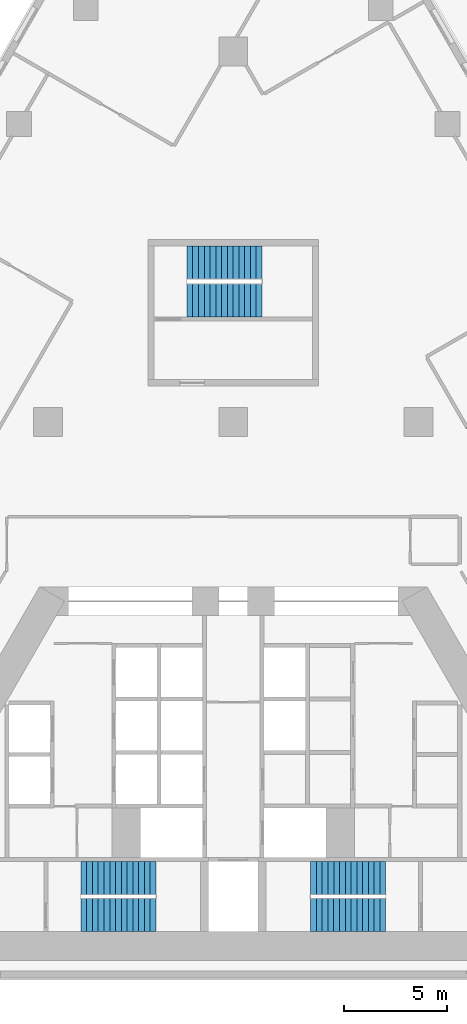
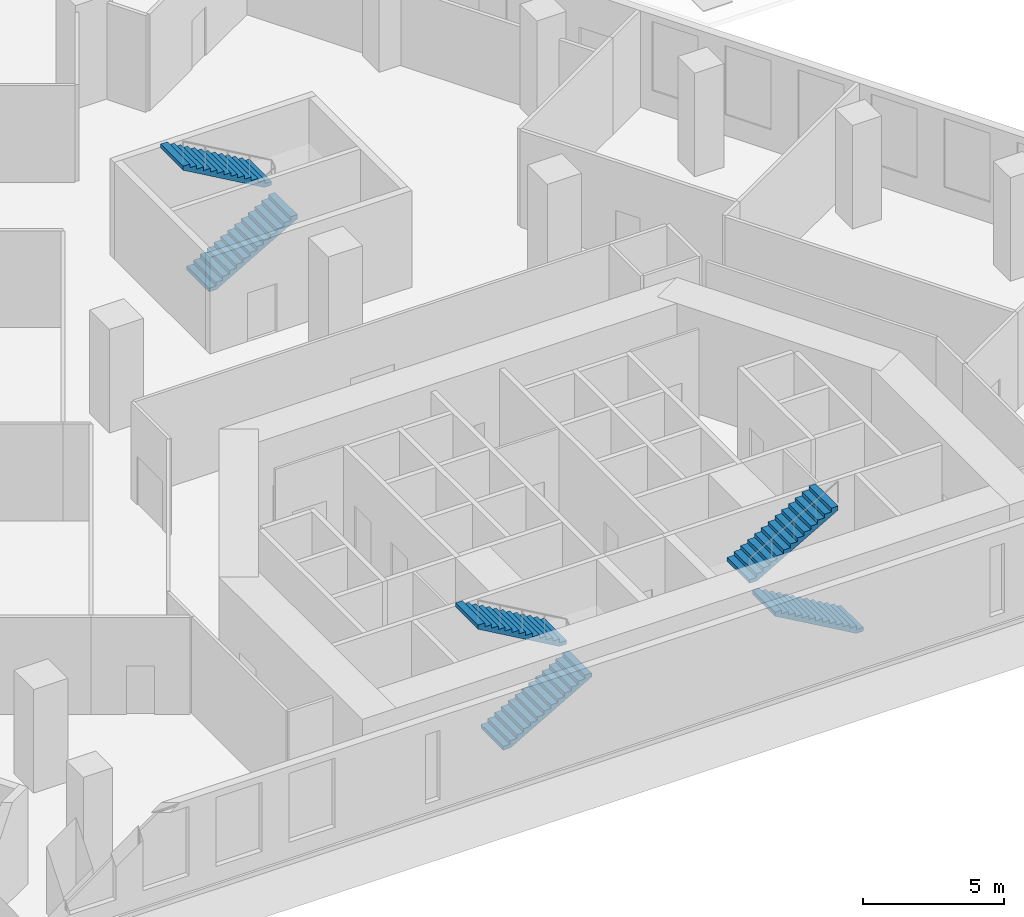
# One storey, part 12 of 13: 6 stair flights, 3 elements without a shape of their own.
"""IFC4 building model written with IfcOpenShell, lengths in metres."""

from ifc_helpers import new_model, si_unit, direction, frame, origin, place, context, subcontext, project, spatial, polyline, outline, extrude, material, type_object, element, aggregate, save


model = new_model("IFC4")

# Units and contexts
model_context = context("Model", 3, precision=1e-05, world=origin(), true_north=direction((0.0, 1.0)))
body_context = subcontext(model_context, "Body", "Model", "MODEL_VIEW")
ifc_project = project(units=[si_unit("LENGTHUNIT", "METRE"), si_unit("AREAUNIT", "SQUARE_METRE"), si_unit("VOLUMEUNIT", "CUBIC_METRE"), si_unit("PLANEANGLEUNIT", "RADIAN"), si_unit("MASSUNIT", "GRAM", prefix="KILO")], contexts=[model_context])

# Site, building, storey
site_placement = place(None, origin())
site = spatial("IfcSite", under=ifc_project, at=site_placement, CompositionType="ELEMENT")
building_placement = place(site_placement, origin())
building = spatial("IfcBuilding", under=site, at=building_placement, Name="Fogline Exchange Tower", CompositionType="ELEMENT")
storey_placement = place(building_placement, frame((0.0, 0.0, 25.0)))
storey = spatial("IfcBuildingStorey", under=building, at=storey_placement, Name="L04", CompositionType="ELEMENT", Elevation=25.0)

# Stair, stair flights
ifc_material = material(Name="Concrete C40", Category="concrete")
stair_type = type_object("IfcStairType", Name="STR28-1607", PredefinedType="HALF_TURN_STAIR", material=ifc_material)
stair_1_placement = place(storey_placement, origin())
stair_1 = element("IfcStair", 1, at=stair_1_placement, inside=storey, type_object=stair_type, Name="Stair ST1", PredefinedType="HALF_TURN_STAIR")
stair_flight_type = type_object("IfcStairFlightType", Name="SF14-1607", PredefinedType="STRAIGHT", material=ifc_material)
stair_flight_1_placement = place(storey_placement, frame((-7.39990234375, 3.050048828125, 0.0), z_axis=(0.0, 0.0, 1.0), x_axis=(1.0, 0.0, 0.0)))
stair_flight_1 = element("IfcStairFlight", 2, at=stair_flight_1_placement, type_object=stair_flight_type, Name="ST1 flight 1", NumberOfRisers=14, NumberOfTreads=13, PredefinedType="STRAIGHT", RiserHeight=0.160714286, TreadLength=0.28, context=body_context, shape_type="SweptSolid", body=[
    extrude(outline(polyline([(0.0, 0.0), (0.0, 0.16064453125), (0.280029296875, 0.16064453125), (0.280029296875, 0.321533203125), (0.56005859375, 0.321533203125), (0.56005859375, 0.482177734375), (0.840087890625, 0.482177734375), (0.840087890625, 0.642822265625), (1.1201171875, 0.642822265625), (1.1201171875, 0.803466796875), (1.39990234375, 0.803466796875), (1.39990234375, 0.96435546875), (1.679931640625, 0.96435546875), (1.679931640625, 1.125), (1.9599609375, 1.125), (1.9599609375, 1.28564453125), (2.239990234375, 1.28564453125), (2.239990234375, 1.446533203125), (2.52001953125, 1.446533203125), (2.52001953125, 1.607177734375), (2.800048828125, 1.607177734375), (2.800048828125, 1.767822265625), (3.080078125, 1.767822265625), (3.080078125, 1.928466796875), (3.360107421875, 1.928466796875), (3.360107421875, 2.08935546875), (3.639892578125, 2.08935546875), (3.639892578125, 2.25), (3.639892578125, 1.91650390625), (0.301025390625, 0.0), (0.0, 0.0)])), frame((0.0, 0.800048828125, 0.0), z_axis=(0.0, -1.0, 0.0), x_axis=(1.0, 0.0, 0.0)), (0.0, 0.0, 1.0), 1.60009765625),
])
stair_flight_2_placement = place(storey_placement, frame((-3.760009765625, 4.85009765625, 2.25), z_axis=(0.0, 0.0, 1.0), x_axis=(-1.0, 0.0, 0.0)))
stair_flight_2 = element("IfcStairFlight", 3, at=stair_flight_2_placement, type_object=stair_flight_type, Name="ST1 flight 2", NumberOfRisers=14, NumberOfTreads=13, PredefinedType="STRAIGHT", RiserHeight=0.160714286, TreadLength=0.28, context=body_context, shape_type="SweptSolid", body=[
    extrude(outline(polyline([(0.0, 0.0), (0.0, 0.16064453125), (0.280029296875, 0.16064453125), (0.280029296875, 0.321533203125), (0.56005859375, 0.321533203125), (0.56005859375, 0.482177734375), (0.840087890625, 0.482177734375), (0.840087890625, 0.642822265625), (1.1201171875, 0.642822265625), (1.1201171875, 0.803466796875), (1.39990234375, 0.803466796875), (1.39990234375, 0.96435546875), (1.679931640625, 0.96435546875), (1.679931640625, 1.125), (1.9599609375, 1.125), (1.9599609375, 1.28564453125), (2.239990234375, 1.28564453125), (2.239990234375, 1.446533203125), (2.52001953125, 1.446533203125), (2.52001953125, 1.607177734375), (2.800048828125, 1.607177734375), (2.800048828125, 1.767822265625), (3.080078125, 1.767822265625), (3.080078125, 1.928466796875), (3.360107421875, 1.928466796875), (3.360107421875, 2.08935546875), (3.639892578125, 2.08935546875), (3.639892578125, 2.25), (3.639892578125, 1.91650390625), (0.301025390625, 0.0), (0.0, 0.0)])), frame((0.0, 0.800048828125, 0.0), z_axis=(0.0, -1.0, 0.0), x_axis=(1.0, 0.0, 0.0)), (0.0, 0.0, 1.0), 1.60009765625),
])
aggregate(stair_1, [stair_flight_1, stair_flight_2])

stair_2_placement = place(storey_placement, origin())
stair_2 = element("IfcStair", 4, at=stair_2_placement, inside=storey, type_object=stair_type, Name="Stair ST2", PredefinedType="HALF_TURN_STAIR")
stair_flight_3_placement = place(storey_placement, frame((7.39990234375, 3.050048828125, 0.0), z_axis=(0.0, 0.0, 1.0), x_axis=(-1.0, 0.0, 0.0)))
stair_flight_3 = element("IfcStairFlight", 5, at=stair_flight_3_placement, type_object=stair_flight_type, Name="ST2 flight 1", NumberOfRisers=14, NumberOfTreads=13, PredefinedType="STRAIGHT", RiserHeight=0.160714286, TreadLength=0.28, context=body_context, shape_type="SweptSolid", body=[
    extrude(outline(polyline([(0.0, 0.0), (0.0, 0.16064453125), (0.280029296875, 0.16064453125), (0.280029296875, 0.321533203125), (0.56005859375, 0.321533203125), (0.56005859375, 0.482177734375), (0.840087890625, 0.482177734375), (0.840087890625, 0.642822265625), (1.1201171875, 0.642822265625), (1.1201171875, 0.803466796875), (1.39990234375, 0.803466796875), (1.39990234375, 0.96435546875), (1.679931640625, 0.96435546875), (1.679931640625, 1.125), (1.9599609375, 1.125), (1.9599609375, 1.28564453125), (2.239990234375, 1.28564453125), (2.239990234375, 1.446533203125), (2.52001953125, 1.446533203125), (2.52001953125, 1.607177734375), (2.800048828125, 1.607177734375), (2.800048828125, 1.767822265625), (3.080078125, 1.767822265625), (3.080078125, 1.928466796875), (3.360107421875, 1.928466796875), (3.360107421875, 2.08935546875), (3.639892578125, 2.08935546875), (3.639892578125, 2.25), (3.639892578125, 1.91650390625), (0.301025390625, 0.0), (0.0, 0.0)])), frame((0.0, 0.800048828125, 0.0), z_axis=(0.0, -1.0, 0.0), x_axis=(1.0, 0.0, 0.0)), (0.0, 0.0, 1.0), 1.60009765625),
])
stair_flight_4_placement = place(storey_placement, frame((3.760009765625, 4.85009765625, 2.25), z_axis=(0.0, 0.0, 1.0), x_axis=(1.0, 0.0, 0.0)))
stair_flight_4 = element("IfcStairFlight", 6, at=stair_flight_4_placement, type_object=stair_flight_type, Name="ST2 flight 2", NumberOfRisers=14, NumberOfTreads=13, PredefinedType="STRAIGHT", RiserHeight=0.160714286, TreadLength=0.28, context=body_context, shape_type="SweptSolid", body=[
    extrude(outline(polyline([(0.0, 0.0), (0.0, 0.16064453125), (0.280029296875, 0.16064453125), (0.280029296875, 0.321533203125), (0.56005859375, 0.321533203125), (0.56005859375, 0.482177734375), (0.840087890625, 0.482177734375), (0.840087890625, 0.642822265625), (1.1201171875, 0.642822265625), (1.1201171875, 0.803466796875), (1.39990234375, 0.803466796875), (1.39990234375, 0.96435546875), (1.679931640625, 0.96435546875), (1.679931640625, 1.125), (1.9599609375, 1.125), (1.9599609375, 1.28564453125), (2.239990234375, 1.28564453125), (2.239990234375, 1.446533203125), (2.52001953125, 1.446533203125), (2.52001953125, 1.607177734375), (2.800048828125, 1.607177734375), (2.800048828125, 1.767822265625), (3.080078125, 1.767822265625), (3.080078125, 1.928466796875), (3.360107421875, 1.928466796875), (3.360107421875, 2.08935546875), (3.639892578125, 2.08935546875), (3.639892578125, 2.25), (3.639892578125, 1.91650390625), (0.301025390625, 0.0), (0.0, 0.0)])), frame((0.0, 0.800048828125, 0.0), z_axis=(0.0, -1.0, 0.0), x_axis=(1.0, 0.0, 0.0)), (0.0, 0.0, 1.0), 1.60009765625),
])
aggregate(stair_2, [stair_flight_3, stair_flight_4])

stair_3_placement = place(storey_placement, origin())
stair_3 = element("IfcStair", 7, at=stair_3_placement, inside=storey, type_object=stair_type, Name="Stair ST3", PredefinedType="HALF_TURN_STAIR")
stair_flight_5_placement = place(storey_placement, frame((-2.25, 32.906982421875, 0.0), z_axis=(0.0, 0.0, 1.0), x_axis=(1.0, 0.0, 0.0)))
stair_flight_5 = element("IfcStairFlight", 8, at=stair_flight_5_placement, type_object=stair_flight_type, Name="ST3 flight 1", NumberOfRisers=14, NumberOfTreads=13, PredefinedType="STRAIGHT", RiserHeight=0.160714286, TreadLength=0.28, context=body_context, shape_type="SweptSolid", body=[
    extrude(outline(polyline([(0.0, 0.0), (0.0, 0.16064453125), (0.280029296875, 0.16064453125), (0.280029296875, 0.321533203125), (0.56005859375, 0.321533203125), (0.56005859375, 0.482177734375), (0.840087890625, 0.482177734375), (0.840087890625, 0.642822265625), (1.1201171875, 0.642822265625), (1.1201171875, 0.803466796875), (1.39990234375, 0.803466796875), (1.39990234375, 0.96435546875), (1.679931640625, 0.96435546875), (1.679931640625, 1.125), (1.9599609375, 1.125), (1.9599609375, 1.28564453125), (2.239990234375, 1.28564453125), (2.239990234375, 1.446533203125), (2.52001953125, 1.446533203125), (2.52001953125, 1.607177734375), (2.800048828125, 1.607177734375), (2.800048828125, 1.767822265625), (3.080078125, 1.767822265625), (3.080078125, 1.928466796875), (3.360107421875, 1.928466796875), (3.360107421875, 2.08935546875), (3.639892578125, 2.08935546875), (3.639892578125, 2.25), (3.639892578125, 1.91650390625), (0.301025390625, 0.0), (0.0, 0.0)])), frame((0.0, 0.800048828125, 0.0), z_axis=(0.0, -1.0, 0.0), x_axis=(1.0, 0.0, 0.0)), (0.0, 0.0, 1.0), 1.60009765625),
])
stair_flight_6_placement = place(storey_placement, frame((1.389892578125, 34.757080078125, 2.25), z_axis=(0.0, 0.0, 1.0), x_axis=(-1.0, 0.0, 0.0)))
stair_flight_6 = element("IfcStairFlight", 9, at=stair_flight_6_placement, type_object=stair_flight_type, Name="ST3 flight 2", NumberOfRisers=14, NumberOfTreads=13, PredefinedType="STRAIGHT", RiserHeight=0.160714286, TreadLength=0.28, context=body_context, shape_type="SweptSolid", body=[
    extrude(outline(polyline([(0.0, 0.0), (0.0, 0.16064453125), (0.280029296875, 0.16064453125), (0.280029296875, 0.321533203125), (0.56005859375, 0.321533203125), (0.56005859375, 0.482177734375), (0.840087890625, 0.482177734375), (0.840087890625, 0.642822265625), (1.1201171875, 0.642822265625), (1.1201171875, 0.803466796875), (1.39990234375, 0.803466796875), (1.39990234375, 0.96435546875), (1.679931640625, 0.96435546875), (1.679931640625, 1.125), (1.9599609375, 1.125), (1.9599609375, 1.28564453125), (2.239990234375, 1.28564453125), (2.239990234375, 1.446533203125), (2.52001953125, 1.446533203125), (2.52001953125, 1.607177734375), (2.800048828125, 1.607177734375), (2.800048828125, 1.767822265625), (3.080078125, 1.767822265625), (3.080078125, 1.928466796875), (3.360107421875, 1.928466796875), (3.360107421875, 2.08935546875), (3.639892578125, 2.08935546875), (3.639892578125, 2.25), (3.639892578125, 1.91650390625), (0.301025390625, 0.0), (0.0, 0.0)])), frame((0.0, 0.800048828125, 0.0), z_axis=(0.0, -1.0, 0.0), x_axis=(1.0, 0.0, 0.0)), (0.0, 0.0, 1.0), 1.60009765625),
])
aggregate(stair_3, [stair_flight_5, stair_flight_6])

save(model, "model.ifc")
